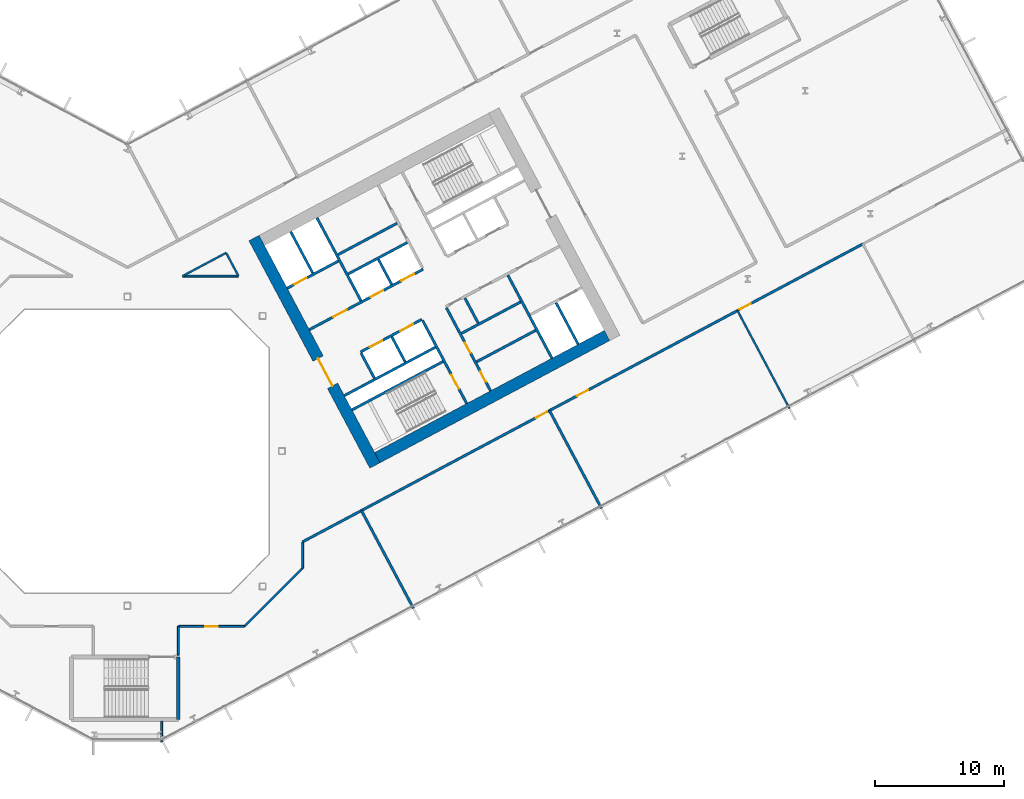
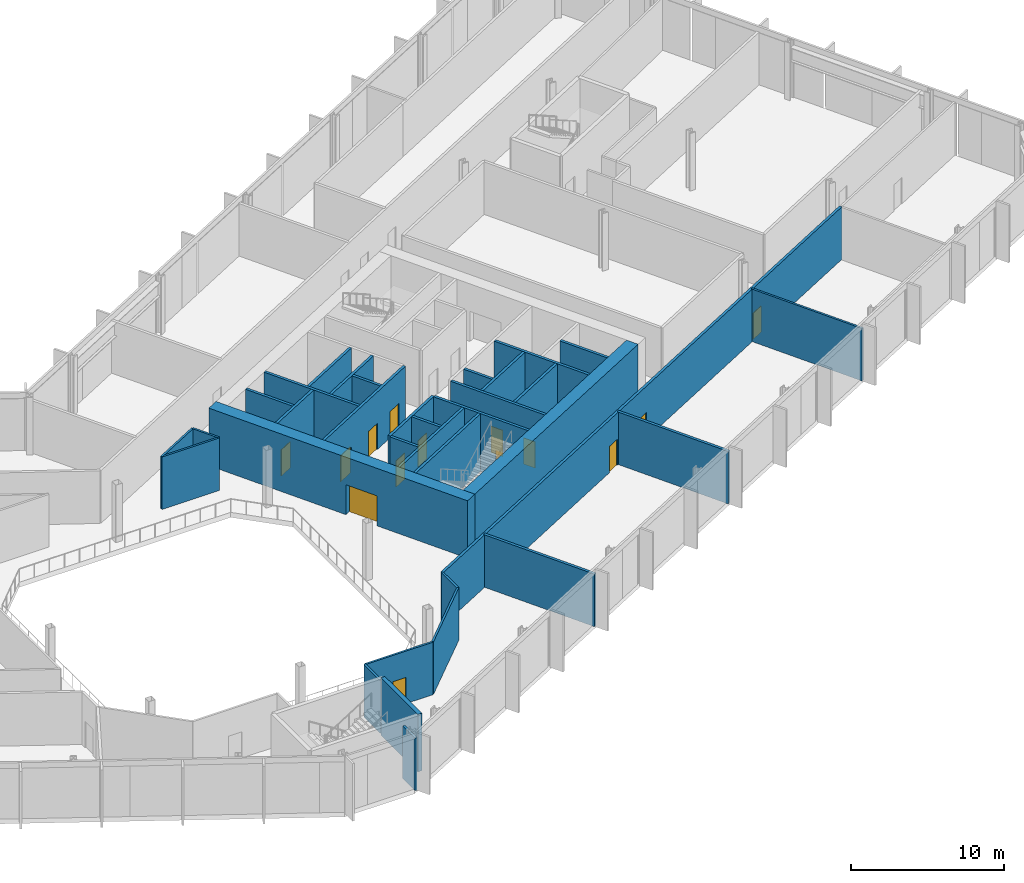
# One storey, part 17 of 31: 34 walls, 14 doors, 14 openings.
"""IFC4 building model written with IfcOpenShell, lengths in metres."""

from ifc_helpers import new_model, si_unit, direction, frame, frame_2d, origin, place, context, subcontext, project, spatial, rectangle, extrude, material, layer, layer_set, type_object, element, fill, save


model = new_model("IFC4")

# Units and contexts
model_context = context("Model", 3, precision=1e-05, world=origin(), true_north=direction((0.0, 1.0)))
body_context = subcontext(model_context, "Body", "Model", "MODEL_VIEW")
ifc_project = project(units=[si_unit("LENGTHUNIT", "METRE"), si_unit("AREAUNIT", "SQUARE_METRE"), si_unit("VOLUMEUNIT", "CUBIC_METRE"), si_unit("PLANEANGLEUNIT", "RADIAN"), si_unit("MASSUNIT", "GRAM", prefix="KILO")], contexts=[model_context])

# Site, building, storey
site_placement = place(None, origin())
site = spatial("IfcSite", under=ifc_project, at=site_placement, CompositionType="ELEMENT")
building_placement = place(site_placement, origin())
building = spatial("IfcBuilding", under=site, at=building_placement, Name="Cormorant Relay Tower", CompositionType="ELEMENT")
storey_placement = place(building_placement, frame((0.0, 0.0, 98.39990234375)))
storey = spatial("IfcBuildingStorey", under=building, at=storey_placement, Name="L19", CompositionType="ELEMENT", Elevation=98.39990234375)

# Walls
ifc_material_1 = material(Name="Concrete 40 MPa", Category="concrete")
ifc_layer_1 = layer(ifc_material_1, 0.199951171875)
ifc_layer_set_1 = layer_set([ifc_layer_1], Name="Core internal wall 200")
wall_type_1 = type_object("IfcWallType", Name="Core internal wall 200", PredefinedType="SOLIDWALL", material=ifc_layer_set_1)
for number, where, z_axis, x_axis, name in (
    (1, (21.567626953125, 6.9375, 0.0), (0.0, 0.0, 1.0), (-0.469533832133, 0.882914480843, 0.0), "L19 core B shaft and room wall"),
    (2, (20.522216796875, 12.950439453125, 0.0), (0.0, 0.0, 1.0), (-0.469401318492, 0.882984938828, 0.0), "L19 core B shaft and room wall"),
    (3, (27.236083984375, 9.951416015625, 0.0), (0.0, 0.0, 1.0), (-0.4694473164, 0.882960484464, 0.0), "L19 core B shaft and room wall"),
):
    element("IfcWall", number, at=place(storey_placement, frame(where, z_axis=z_axis, x_axis=x_axis)), inside=storey, type_object=wall_type_1, Name=name, PredefinedType="SOLIDWALL", context=body_context, shape_type="SweptSolid", body=[
        extrude(rectangle(XDim=2.199951171875, YDim=0.199951171875, at=frame_2d((1.10009765625, 0.0))), origin(), (0.0, 0.0, 1.0), 4.60009765625),
    ])
for number, where, z_axis, x_axis, name in (
    (4, (27.11474609375, 6.942138671875, 0.0), (0.0, 0.0, 1.0), (0.882934506056, 0.469496174655, 0.0), "L19 core B shaft and room wall"),
    (5, (16.3486328125, 15.26171875, 0.0), (0.0, 0.0, 1.0), (0.882953967957, 0.469459572775, 0.0), "L19 core B shaft and room wall"),
):
    element("IfcWall", number, at=place(storey_placement, frame(where, z_axis=z_axis, x_axis=x_axis)), inside=storey, type_object=wall_type_1, Name=name, PredefinedType="SOLIDWALL", context=body_context, shape_type="SweptSolid", body=[
        extrude(rectangle(XDim=5.199951171875, YDim=0.199951171875, at=frame_2d((2.60009765625, 0.0))), origin(), (0.0, 0.0, 1.0), 4.60009765625),
    ])
ifc_material_2 = material(Name="Concrete 50 MPa", Category="concrete")
ifc_layer_2 = layer(ifc_material_2, 0.199951171875)
ifc_layer_set_2 = layer_set([ifc_layer_2], Name="Core shaft wall 200")
wall_type_2 = type_object("IfcWallType", Name="Core shaft wall 200", PredefinedType="SHEAR", material=ifc_layer_set_2)
wall_1_placement = place(storey_placement, frame((14.39404296875, 13.825927734375, 0.0), z_axis=(0.0, 0.0, 1.0), x_axis=(-0.469494272526, 0.882935517501, 0.0)))
element("IfcWall", 6, at=wall_1_placement, inside=storey, type_object=wall_type_2, Name="L19 core B shaft wall", PredefinedType="SHEAR", context=body_context, shape_type="SweptSolid", body=[
    extrude(rectangle(XDim=3.64990234375, YDim=0.199951171875, at=frame_2d((1.824951171875, 0.0))), origin(), (0.0, 0.0, 1.0), 4.60009765625),
])
wall_2_placement = place(storey_placement, frame((19.18359375, 5.669921875, 0.0), z_axis=(0.0, 0.0, 1.0), x_axis=(-0.4694473164, 0.882960484464, 0.0)))
element("IfcWall", 7, at=wall_2_placement, inside=storey, type_object=wall_type_2, Name="L19 core B shaft wall", PredefinedType="SHEAR", context=body_context, shape_type="SweptSolid", body=[
    extrude(rectangle(XDim=2.199951171875, YDim=0.199951171875, at=frame_2d((1.10009765625, 0.0))), origin(), (0.0, 0.0, 1.0), 4.60009765625),
])
wall_3_placement = place(storey_placement, frame((18.138427734375, 11.682861328125, 0.0), z_axis=(0.0, 0.0, 1.0), x_axis=(-0.469480409012, 0.88294288918, 0.0)))
element("IfcWall", 8, at=wall_3_placement, inside=storey, type_object=wall_type_2, Name="L19 core B shaft wall", PredefinedType="SHEAR", context=body_context, shape_type="SweptSolid", body=[
    extrude(rectangle(XDim=7.300048828125, YDim=0.199951171875, at=frame_2d((3.64990234375, 0.0))), origin(), (0.0, 0.0, 1.0), 4.60009765625),
])

# Wall, opening, door
wall_4_placement = place(storey_placement, frame((26.345947265625, 3.701904296875, 0.0), z_axis=(0.0, 0.0, 1.0), x_axis=(-0.469480409012, 0.88294288918, 0.0)))
wall_4 = element("IfcWall", 9, at=wall_4_placement, inside=storey, type_object=wall_type_2, Name="L19 core B shaft wall", PredefinedType="SHEAR", context=body_context, shape_type="SweptSolid", body=[
    extrude(rectangle(XDim=7.300048828125, YDim=0.199951171875, at=frame_2d((3.64990234375, 0.0))), origin(), (0.0, 0.0, 1.0), 4.60009765625),
])
opening_1_placement = place(wall_4_placement, frame((1.300048828125, 0.0, 0.0)))
opening_1 = element("IfcOpeningElement", 10, at=opening_1_placement, cuts=wall_4, Name="Opening CDB-026", PredefinedType="OPENING", context=body_context, shape_type="SweptSolid", body=[
    extrude(rectangle(XDim=1.199951171875, YDim=2.10009765625, at=frame_2d((0.60009765625, 1.050048828125))), frame((0.0, 0.10986328125, 0.0), z_axis=(0.0, -1.0, 0.0), x_axis=(1.0, 0.0, 0.0)), (0.0, 0.0, 1.0), 0.219970703125),
])
ifc_material_3 = material(Name="Steel fire door", Category="steel")
door_type_1 = type_object("IfcDoorType", Name="Core stair door 1200x2100", OperationType="SINGLE_SWING_LEFT", PredefinedType="DOOR", material=ifc_material_3)
door_1_placement = place(opening_1_placement, origin())
door_1 = element("IfcDoor", 11, at=door_1_placement, inside=storey, type_object=door_type_1, Name="Core stair door 1200x2100", OperationType="SINGLE_SWING_RIGHT", OverallHeight=2.10009765625, OverallWidth=1.199951171875, PredefinedType="DOOR", context=body_context, shape_type="SweptSolid", body=[
    extrude(rectangle(XDim=1.199951171875, YDim=2.10009765625, at=frame_2d((0.60009765625, 1.050048828125))), frame((0.0, 0.02490234375, 0.0), z_axis=(0.0, -1.0, 0.0), x_axis=(1.0, 0.0, 0.0)), (0.0, 0.0, 1.0), 0.050048828125),
])
fill(opening_1, door_1)

# Wall, openings, doors
wall_5_placement = place(storey_placement, frame((28.199951171875, 4.687744140625, 0.0), z_axis=(0.0, 0.0, 1.0), x_axis=(-0.469454336211, 0.882956752176, 0.0)))
wall_5 = element("IfcWall", 12, at=wall_5_placement, inside=storey, type_object=wall_type_2, Name="L19 core B shaft wall", PredefinedType="SHEAR", context=body_context, shape_type="SweptSolid", body=[
    extrude(rectangle(XDim=7.300048828125, YDim=0.199951171875, at=frame_2d((3.64990234375, 0.0))), origin(), (0.0, 0.0, 1.0), 4.60009765625),
])
opening_2_placement = place(wall_5_placement, frame((0.800048828125, 0.0, 0.0)))
opening_2 = element("IfcOpeningElement", 13, at=opening_2_placement, cuts=wall_5, Name="Opening CDD-124", PredefinedType="OPENING", context=body_context, shape_type="SweptSolid", body=[
    extrude(rectangle(XDim=0.89990234375, YDim=2.10009765625, at=frame_2d((0.449951171875, 1.050048828125))), frame((0.0, 0.10986328125, 0.0), z_axis=(0.0, -1.0, 0.0), x_axis=(1.0, 0.0, 0.0)), (0.0, 0.0, 1.0), 0.219970703125),
])
opening_3_placement = place(wall_5_placement, frame((3.300048828125, 0.0, 0.0)))
opening_3 = element("IfcOpeningElement", 14, at=opening_3_placement, cuts=wall_5, Name="Opening CDD-125", PredefinedType="OPENING", context=body_context, shape_type="SweptSolid", body=[
    extrude(rectangle(XDim=0.89990234375, YDim=2.10009765625, at=frame_2d((0.449951171875, 1.050048828125))), frame((0.0, 0.10986328125, 0.0), z_axis=(0.0, -1.0, 0.0), x_axis=(1.0, 0.0, 0.0)), (0.0, 0.0, 1.0), 0.219970703125),
])
ifc_material_4 = material(Name="Steel fire door", Category="steel")
door_type_2 = type_object("IfcDoorType", Name="Core room door 900x2100", OperationType="SINGLE_SWING_LEFT", PredefinedType="DOOR", material=ifc_material_4)
door_2_placement = place(opening_2_placement, frame((0.89990234375, 0.0, 0.0), z_axis=(0.0, 0.0, 1.0), x_axis=(-1.0, 0.0, 0.0)))
door_2 = element("IfcDoor", 15, at=door_2_placement, inside=storey, type_object=door_type_2, Name="Core room door 900x2100", OperationType="SINGLE_SWING_LEFT", OverallHeight=2.10009765625, OverallWidth=0.89990234375, PredefinedType="DOOR", context=body_context, shape_type="SweptSolid", body=[
    extrude(rectangle(XDim=0.89990234375, YDim=2.10009765625, at=frame_2d((0.449951171875, 1.050048828125))), frame((0.0, 0.02490234375, 0.0), z_axis=(0.0, -1.0, 0.0), x_axis=(1.0, 0.0, 0.0)), (0.0, 0.0, 1.0), 0.050048828125),
])
fill(opening_2, door_2)
door_3_placement = place(opening_3_placement, frame((0.89990234375, 0.0, 0.0), z_axis=(0.0, 0.0, 1.0), x_axis=(-1.0, 0.0, 0.0)))
door_3 = element("IfcDoor", 16, at=door_3_placement, inside=storey, type_object=door_type_2, Name="Core room door 900x2100", OperationType="SINGLE_SWING_LEFT", OverallHeight=2.10009765625, OverallWidth=0.89990234375, PredefinedType="DOOR", context=body_context, shape_type="SweptSolid", body=[
    extrude(rectangle(XDim=0.89990234375, YDim=2.10009765625, at=frame_2d((0.449951171875, 1.050048828125))), frame((0.0, 0.02490234375, 0.0), z_axis=(0.0, -1.0, 0.0), x_axis=(1.0, 0.0, 0.0)), (0.0, 0.0, 1.0), 0.050048828125),
])
fill(opening_3, door_3)

# Walls
wall_6_placement = place(storey_placement, frame((32.968017578125, 7.222900390625, 0.0), z_axis=(0.0, 0.0, 1.0), x_axis=(-0.469480409012, 0.88294288918, 0.0)))
element("IfcWall", 17, at=wall_6_placement, inside=storey, type_object=wall_type_2, Name="L19 core B shaft wall", PredefinedType="SHEAR", context=body_context, shape_type="SweptSolid", body=[
    extrude(rectangle(XDim=7.300048828125, YDim=0.199951171875, at=frame_2d((3.64990234375, 0.0))), origin(), (0.0, 0.0, 1.0), 4.60009765625),
])
wall_7_placement = place(storey_placement, frame((34.998779296875, 8.302734375, 0.0), z_axis=(0.0, 0.0, 1.0), x_axis=(-0.4694665462, 0.882950260207, 0.0)))
element("IfcWall", 18, at=wall_7_placement, inside=storey, type_object=wall_type_2, Name="L19 core B shaft wall", PredefinedType="SHEAR", context=body_context, shape_type="SweptSolid", body=[
    extrude(rectangle(XDim=3.650146484375, YDim=0.199951171875, at=frame_2d((1.8251953125, 0.0))), origin(), (0.0, 0.0, 1.0), 4.60009765625),
])
for number, where, z_axis, x_axis, name in (
    (19, (17.43359375, 3.210205078125, 0.0), (0.0, 0.0, 1.0), (0.882940221191, 0.469485426614, 0.0), "L19 core B shaft wall"),
    (20, (16.8466796875, 4.31396484375, 0.0), (0.0, 0.0, 1.0), (0.882940221191, 0.469485426614, 0.0), "L19 core B shaft wall"),
):
    element("IfcWall", number, at=place(storey_placement, frame(where, z_axis=z_axis, x_axis=x_axis)), inside=storey, type_object=wall_type_2, Name=name, PredefinedType="SHEAR", context=body_context, shape_type="SweptSolid", body=[
        extrude(rectangle(XDim=8.0, YDim=0.199951171875, at=frame_2d((4.0, 0.0))), origin(), (0.0, 0.0, 1.0), 4.60009765625),
    ])
wall_8_placement = place(storey_placement, frame((25.94091796875, 9.149658203125, 0.0), z_axis=(0.0, 0.0, 1.0), x_axis=(0.882953967957, 0.469459572775, 0.0)))
element("IfcWall", 21, at=wall_8_placement, inside=storey, type_object=wall_type_2, Name="L19 core B shaft wall", PredefinedType="SHEAR", context=body_context, shape_type="SweptSolid", body=[
    extrude(rectangle(XDim=5.199951171875, YDim=0.199951171875, at=frame_2d((2.60009765625, 0.0))), origin(), (0.0, 0.0, 1.0), 4.60009765625),
])

# Wall, openings, doors
wall_9_placement = place(storey_placement, frame((18.103759765625, 7.70068359375, 0.0), z_axis=(0.0, 0.0, 1.0), x_axis=(0.882952937579, 0.469461510692, 0.0)))
wall_9 = element("IfcWall", 22, at=wall_9_placement, inside=storey, type_object=wall_type_2, Name="L19 core B shaft wall", PredefinedType="SHEAR", context=body_context, shape_type="SweptSolid", body=[
    extrude(rectangle(XDim=5.400146484375, YDim=0.199951171875, at=frame_2d((2.7001953125, 0.0))), origin(), (0.0, 0.0, 1.0), 4.60009765625),
])
opening_4_placement = place(wall_9_placement, frame((0.800048828125, 0.0, 0.0)))
opening_4 = element("IfcOpeningElement", 23, at=opening_4_placement, cuts=wall_9, Name="Opening LD1-032", PredefinedType="OPENING", context=body_context, shape_type="SweptSolid", body=[
    extrude(rectangle(XDim=1.10009765625, YDim=2.10009765625, at=frame_2d((0.550048828125, 1.050048828125))), frame((0.0, 0.10986328125, 0.0), z_axis=(0.0, -1.0, 0.0), x_axis=(1.0, 0.0, 0.0)), (0.0, 0.0, 1.0), 0.219970703125),
])
opening_5_placement = place(wall_9_placement, frame((3.5, 0.0, 0.0)))
opening_5 = element("IfcOpeningElement", 24, at=opening_5_placement, cuts=wall_9, Name="Opening LD1-033", PredefinedType="OPENING", context=body_context, shape_type="SweptSolid", body=[
    extrude(rectangle(XDim=1.10009765625, YDim=2.10009765625, at=frame_2d((0.550048828125, 1.050048828125))), frame((0.0, 0.10986328125, 0.0), z_axis=(0.0, -1.0, 0.0), x_axis=(1.0, 0.0, 0.0)), (0.0, 0.0, 1.0), 0.219970703125),
])
ifc_material_5 = material(Name="Stainless steel 316", Category="steel")
door_type_3 = type_object("IfcDoorType", Name="Lift landing door 1100x2100", OperationType="DOUBLE_DOOR_SLIDING", PredefinedType="DOOR", material=ifc_material_5)
door_4_placement = place(opening_4_placement, origin())
door_4 = element("IfcDoor", 25, at=door_4_placement, inside=storey, type_object=door_type_3, Name="LR5 landing door", OperationType="DOUBLE_DOOR_SLIDING", OverallHeight=2.10009765625, OverallWidth=1.10009765625, PredefinedType="DOOR", context=body_context, shape_type="SweptSolid", body=[
    extrude(rectangle(XDim=1.10009765625, YDim=2.10009765625, at=frame_2d((0.550048828125, 1.050048828125))), frame((0.0, 0.02490234375, 0.0), z_axis=(0.0, -1.0, 0.0), x_axis=(1.0, 0.0, 0.0)), (0.0, 0.0, 1.0), 0.050048828125),
])
fill(opening_4, door_4)
door_5_placement = place(opening_5_placement, origin())
door_5 = element("IfcDoor", 26, at=door_5_placement, inside=storey, type_object=door_type_3, Name="LR6 landing door", OperationType="DOUBLE_DOOR_SLIDING", OverallHeight=2.10009765625, OverallWidth=1.10009765625, PredefinedType="DOOR", context=body_context, shape_type="SweptSolid", body=[
    extrude(rectangle(XDim=1.10009765625, YDim=2.10009765625, at=frame_2d((0.550048828125, 1.050048828125))), frame((0.0, 0.02490234375, 0.0), z_axis=(0.0, -1.0, 0.0), x_axis=(1.0, 0.0, 0.0)), (0.0, 0.0, 1.0), 0.050048828125),
])
fill(opening_5, door_5)

wall_10_placement = place(storey_placement, frame((14.123779296875, 9.43505859375, 0.0), z_axis=(0.0, 0.0, 1.0), x_axis=(0.882940221191, 0.469485426614, 0.0)))
wall_10 = element("IfcWall", 27, at=wall_10_placement, inside=storey, type_object=wall_type_2, Name="L19 core B shaft wall", PredefinedType="SHEAR", context=body_context, shape_type="SweptSolid", body=[
    extrude(rectangle(XDim=10.0, YDim=0.199951171875, at=frame_2d((5.0, 0.0))), origin(), (0.0, 0.0, 1.0), 4.60009765625),
])
opening_6_placement = place(wall_10_placement, frame((2.10009765625, 0.0, 0.0)))
opening_6 = element("IfcOpeningElement", 28, at=opening_6_placement, cuts=wall_10, Name="Opening CDC-019", PredefinedType="OPENING", context=body_context, shape_type="SweptSolid", body=[
    extrude(rectangle(XDim=1.199951171875, YDim=2.10009765625, at=frame_2d((0.60009765625, 1.050048828125))), frame((0.0, 0.10986328125, 0.0), z_axis=(0.0, -1.0, 0.0), x_axis=(1.0, 0.0, 0.0)), (0.0, 0.0, 1.0), 0.219970703125),
])
opening_7_placement = place(wall_10_placement, frame((5.39990234375, 0.0, 0.0)))
opening_7 = element("IfcOpeningElement", 29, at=opening_7_placement, cuts=wall_10, Name="Opening LD1-028", PredefinedType="OPENING", context=body_context, shape_type="SweptSolid", body=[
    extrude(rectangle(XDim=1.10009765625, YDim=2.10009765625, at=frame_2d((0.550048828125, 1.050048828125))), frame((0.0, 0.10986328125, 0.0), z_axis=(0.0, -1.0, 0.0), x_axis=(1.0, 0.0, 0.0)), (0.0, 0.0, 1.0), 0.219970703125),
])
opening_8_placement = place(wall_10_placement, frame((8.10009765625, 0.0, 0.0)))
opening_8 = element("IfcOpeningElement", 30, at=opening_8_placement, cuts=wall_10, Name="Opening LD1-029", PredefinedType="OPENING", context=body_context, shape_type="SweptSolid", body=[
    extrude(rectangle(XDim=1.10009765625, YDim=2.10009765625, at=frame_2d((0.550048828125, 1.050048828125))), frame((0.0, 0.10986328125, 0.0), z_axis=(0.0, -1.0, 0.0), x_axis=(1.0, 0.0, 0.0)), (0.0, 0.0, 1.0), 0.219970703125),
])
ifc_material_6 = material(Name="Steel fire door", Category="steel")
door_type_4 = type_object("IfcDoorType", Name="Core lobby door 1200x2100", OperationType="SINGLE_SWING_LEFT", PredefinedType="DOOR", material=ifc_material_6)
door_6_placement = place(opening_6_placement, origin())
door_6 = element("IfcDoor", 31, at=door_6_placement, inside=storey, type_object=door_type_4, Name="Core lobby door 1200x2100", OperationType="SINGLE_SWING_RIGHT", OverallHeight=2.10009765625, OverallWidth=1.199951171875, PredefinedType="DOOR", context=body_context, shape_type="SweptSolid", body=[
    extrude(rectangle(XDim=1.199951171875, YDim=2.10009765625, at=frame_2d((0.60009765625, 1.050048828125))), frame((0.0, 0.02490234375, 0.0), z_axis=(0.0, -1.0, 0.0), x_axis=(1.0, 0.0, 0.0)), (0.0, 0.0, 1.0), 0.050048828125),
])
fill(opening_6, door_6)
door_7_placement = place(opening_7_placement, origin())
door_7 = element("IfcDoor", 32, at=door_7_placement, inside=storey, type_object=door_type_3, Name="LR1 landing door", OperationType="DOUBLE_DOOR_SLIDING", OverallHeight=2.10009765625, OverallWidth=1.10009765625, PredefinedType="DOOR", context=body_context, shape_type="SweptSolid", body=[
    extrude(rectangle(XDim=1.10009765625, YDim=2.10009765625, at=frame_2d((0.550048828125, 1.050048828125))), frame((0.0, 0.02490234375, 0.0), z_axis=(0.0, -1.0, 0.0), x_axis=(1.0, 0.0, 0.0)), (0.0, 0.0, 1.0), 0.050048828125),
])
fill(opening_7, door_7)
door_8_placement = place(opening_8_placement, origin())
door_8 = element("IfcDoor", 33, at=door_8_placement, inside=storey, type_object=door_type_3, Name="LR2 landing door", OperationType="DOUBLE_DOOR_SLIDING", OverallHeight=2.10009765625, OverallWidth=1.10009765625, PredefinedType="DOOR", context=body_context, shape_type="SweptSolid", body=[
    extrude(rectangle(XDim=1.10009765625, YDim=2.10009765625, at=frame_2d((0.550048828125, 1.050048828125))), frame((0.0, 0.02490234375, 0.0), z_axis=(0.0, -1.0, 0.0), x_axis=(1.0, 0.0, 0.0)), (0.0, 0.0, 1.0), 0.050048828125),
])
fill(opening_8, door_8)

# Wall
wall_11_placement = place(storey_placement, frame((17.146728515625, 13.7607421875, 0.0), z_axis=(0.0, 0.0, 1.0), x_axis=(0.882964314875, 0.469440111896, 0.0)))
element("IfcWall", 34, at=wall_11_placement, inside=storey, type_object=wall_type_2, Name="L19 core B shaft wall", PredefinedType="SHEAR", context=body_context, shape_type="SweptSolid", body=[
    extrude(rectangle(XDim=5.2001953125, YDim=0.199951171875, at=frame_2d((2.60009765625, 0.0))), origin(), (0.0, 0.0, 1.0), 4.60009765625),
])

# Wall, opening, door
wall_12_placement = place(storey_placement, frame((12.41015625, 12.657958984375, 0.0), z_axis=(0.0, 0.0, 1.0), x_axis=(0.8829484765, 0.469469900894, 0.0)))
wall_12 = element("IfcWall", 35, at=wall_12_placement, inside=storey, type_object=wall_type_2, Name="L19 core B shaft wall", PredefinedType="SHEAR", context=body_context, shape_type="SweptSolid", body=[
    extrude(rectangle(XDim=4.499755859375, YDim=0.199951171875, at=frame_2d((2.25, 0.0))), origin(), (0.0, 0.0, 1.0), 4.60009765625),
])
opening_9_placement = place(wall_12_placement, frame((0.60009765625, 0.0, 0.0)))
opening_9 = element("IfcOpeningElement", 36, at=opening_9_placement, cuts=wall_12, Name="Opening LD1-034", PredefinedType="OPENING", context=body_context, shape_type="SweptSolid", body=[
    extrude(rectangle(XDim=1.10009765625, YDim=2.10009765625, at=frame_2d((0.550048828125, 1.050048828125))), frame((0.0, 0.10986328125, 0.0), z_axis=(0.0, -1.0, 0.0), x_axis=(1.0, 0.0, 0.0)), (0.0, 0.0, 1.0), 0.219970703125),
])
door_9_placement = place(opening_9_placement, origin())
door_9 = element("IfcDoor", 37, at=door_9_placement, inside=storey, type_object=door_type_3, Name="FF2 landing door", OperationType="DOUBLE_DOOR_SLIDING", OverallHeight=2.10009765625, OverallWidth=1.10009765625, PredefinedType="DOOR", context=body_context, shape_type="SweptSolid", body=[
    extrude(rectangle(XDim=1.10009765625, YDim=2.10009765625, at=frame_2d((0.550048828125, 1.050048828125))), frame((0.0, 0.02490234375, 0.0), z_axis=(0.0, -1.0, 0.0), x_axis=(1.0, 0.0, 0.0)), (0.0, 0.0, 1.0), 0.050048828125),
])
fill(opening_9, door_9)

ifc_material_7 = material(Name="Concrete 70 MPa", Category="concrete")
ifc_layer_3 = layer(ifc_material_7, 0.89990234375)
ifc_layer_set_3 = layer_set([ifc_layer_3], Name="Core wall 900")
wall_type_3 = type_object("IfcWallType", Name="Core wall 900", PredefinedType="SHEAR", material=ifc_layer_set_3)
wall_13_placement = place(storey_placement, frame((19.21923828125, -1.106689453125, 0.0), z_axis=(0.0, 0.0, 1.0), x_axis=(-0.46947084998, 0.882947971864, 0.0)))
wall_13 = element("IfcWall", 38, at=wall_13_placement, inside=storey, type_object=wall_type_3, Name="L19 core B wall", PredefinedType="SHEAR", context=body_context, shape_type="SweptSolid", body=[
    extrude(rectangle(XDim=20.0, YDim=0.89990234375, at=frame_2d((10.0, 0.0))), origin(), (0.0, 0.0, 1.0), 4.60009765625),
])
opening_10_placement = place(wall_13_placement, frame((7.0, 0.0, 0.0)))
opening_10 = element("IfcOpeningElement", 39, at=opening_10_placement, cuts=wall_13, Name="Opening CDA-019", PredefinedType="OPENING", context=body_context, shape_type="SweptSolid", body=[
    extrude(rectangle(XDim=2.39990234375, YDim=2.39990234375, at=frame_2d((1.199951171875, 1.199951171875))), frame((0.0, 0.4599609375, 0.0), z_axis=(0.0, -1.0, 0.0), x_axis=(1.0, 0.0, 0.0)), (0.0, 0.0, 1.0), 0.919921875),
])
ifc_material_8 = material(Name="Steel fire door", Category="steel")
door_type_5 = type_object("IfcDoorType", Name="Core lobby door 2400x2400", OperationType="DOUBLE_DOOR_SINGLE_SWING", PredefinedType="DOOR", material=ifc_material_8)
door_10_placement = place(opening_10_placement, frame((2.39990234375, 0.0, 0.0), z_axis=(0.0, 0.0, 1.0), x_axis=(-1.0, 0.0, 0.0)))
door_10 = element("IfcDoor", 40, at=door_10_placement, inside=storey, type_object=door_type_5, Name="Core lobby door 2400x2400", OperationType="DOUBLE_DOOR_SINGLE_SWING", OverallHeight=2.39990234375, OverallWidth=2.39990234375, PredefinedType="DOOR", context=body_context, shape_type="SweptSolid", body=[
    extrude(rectangle(XDim=2.39990234375, YDim=2.39990234375, at=frame_2d((1.199951171875, 1.199951171875))), frame((0.0, 0.02490234375, 0.0), z_axis=(0.0, -1.0, 0.0), x_axis=(1.0, 0.0, 0.0)), (0.0, 0.0, 1.0), 0.050048828125),
])
fill(opening_10, door_10)

# Walls
wall_14_placement = place(storey_placement, frame((19.4052734375, -0.498046875, 0.0), z_axis=(0.0, 0.0, 1.0), x_axis=(0.88294509198, 0.469476266226, 0.0)))
element("IfcWall", 41, at=wall_14_placement, inside=storey, type_object=wall_type_3, Name="L19 core B wall", PredefinedType="SHEAR", context=body_context, shape_type="SweptSolid", body=[
    extrude(rectangle(XDim=20.199951171875, YDim=0.89990234375, at=frame_2d((10.10009765625, 0.0))), origin(), (0.0, 0.0, 1.0), 4.60009765625),
])
ifc_material_9 = material(Name="Fire-rated gypsum board partition")
ifc_layer_4 = layer(ifc_material_9, 0.199951171875)
ifc_layer_set_4 = layer_set([ifc_layer_4], Name="Fire-rated gypsum partition 200")
wall_type_4 = type_object("IfcWallType", Name="Fire-rated gypsum partition 200", PredefinedType="PARTITIONING", material=ifc_layer_set_4)
wall_15_placement = place(storey_placement, frame((18.172119140625, -4.60791015625, 0.0), z_axis=(0.0, 0.0, 1.0), x_axis=(0.469386979633, -0.882992561323, 0.0)))
element("IfcWall", 42, at=wall_15_placement, inside=storey, type_object=wall_type_4, Name="wall/L19/part/33", PredefinedType="PARTITIONING", context=body_context, shape_type="SweptSolid", body=[
    extrude(rectangle(XDim=8.600341796875, YDim=0.199951171875, at=frame_2d((4.30029296875, 0.0))), origin(), (0.0, 0.0, 1.0), 4.2001953125),
])

# Wall, openings, doors
wall_16_placement = place(storey_placement, frame((57.10498046875, 16.093017578125, 0.0), z_axis=(0.0, 0.0, 1.0), x_axis=(-0.882946553343, -0.469473517827, 0.0)))
wall_16 = element("IfcWall", 43, at=wall_16_placement, inside=storey, type_object=wall_type_4, Name="wall/L19/part/34", PredefinedType="PARTITIONING", context=body_context, shape_type="SweptSolid", body=[
    extrude(rectangle(XDim=49.2724609375, YDim=0.199951171875, at=frame_2d((24.63623046875, 0.0))), origin(), (0.0, 0.0, 1.0), 4.2001953125),
])
opening_11_placement = place(wall_16_placement, frame((27.75, 0.0, 0.0)))
opening_11 = element("IfcOpeningElement", 44, at=opening_11_placement, cuts=wall_16, Name="Opening FD1-103", PredefinedType="OPENING", context=body_context, shape_type="SweptSolid", body=[
    extrude(rectangle(XDim=1.0, YDim=2.10009765625, at=frame_2d((0.5, 1.050048828125))), frame((0.0, 0.10986328125, 0.0), z_axis=(0.0, -1.0, 0.0), x_axis=(1.0, 0.0, 0.0)), (0.0, 0.0, 1.0), 0.219970703125),
])
opening_12_placement = place(wall_16_placement, frame((24.14990234375, 0.0, 0.0)))
opening_12 = element("IfcOpeningElement", 45, at=opening_12_placement, cuts=wall_16, Name="Opening FD1-104", PredefinedType="OPENING", context=body_context, shape_type="SweptSolid", body=[
    extrude(rectangle(XDim=1.0, YDim=2.10009765625, at=frame_2d((0.5, 1.050048828125))), frame((0.0, 0.10986328125, 0.0), z_axis=(0.0, -1.0, 0.0), x_axis=(1.0, 0.0, 0.0)), (0.0, 0.0, 1.0), 0.219970703125),
])
opening_13_placement = place(wall_16_placement, frame((9.85009765625, 0.0, 0.0)))
opening_13 = element("IfcOpeningElement", 46, at=opening_13_placement, cuts=wall_16, Name="Opening FD1-105", PredefinedType="OPENING", context=body_context, shape_type="SweptSolid", body=[
    extrude(rectangle(XDim=1.0, YDim=2.10009765625, at=frame_2d((0.5, 1.050048828125))), frame((0.0, 0.10986328125, 0.0), z_axis=(0.0, -1.0, 0.0), x_axis=(1.0, 0.0, 0.0)), (0.0, 0.0, 1.0), 0.219970703125),
])
ifc_material_10 = material(Name="Fire-rated steel door", Category="steel")
door_type_6 = type_object("IfcDoorType", Name="Fire door 1000 x 2100", OperationType="SINGLE_SWING_LEFT", PredefinedType="DOOR", material=ifc_material_10)
door_11_placement = place(opening_11_placement, origin())
door_11 = element("IfcDoor", 47, at=door_11_placement, inside=storey, type_object=door_type_6, Name="door/L19/13", OperationType="SINGLE_SWING_LEFT", OverallHeight=2.10009765625, OverallWidth=1.0, PredefinedType="DOOR", context=body_context, shape_type="SweptSolid", body=[
    extrude(rectangle(XDim=1.0, YDim=2.10009765625, at=frame_2d((0.5, 1.050048828125))), frame((0.0, 0.02490234375, 0.0), z_axis=(0.0, -1.0, 0.0), x_axis=(1.0, 0.0, 0.0)), (0.0, 0.0, 1.0), 0.050048828125),
])
fill(opening_11, door_11)
door_12_placement = place(opening_12_placement, origin())
door_12 = element("IfcDoor", 48, at=door_12_placement, inside=storey, type_object=door_type_6, Name="door/L19/14", OperationType="SINGLE_SWING_RIGHT", OverallHeight=2.10009765625, OverallWidth=1.0, PredefinedType="DOOR", context=body_context, shape_type="SweptSolid", body=[
    extrude(rectangle(XDim=1.0, YDim=2.10009765625, at=frame_2d((0.5, 1.050048828125))), frame((0.0, 0.02490234375, 0.0), z_axis=(0.0, -1.0, 0.0), x_axis=(1.0, 0.0, 0.0)), (0.0, 0.0, 1.0), 0.050048828125),
])
fill(opening_12, door_12)
door_13_placement = place(opening_13_placement, origin())
door_13 = element("IfcDoor", 49, at=door_13_placement, inside=storey, type_object=door_type_6, Name="door/L19/15", OperationType="SINGLE_SWING_RIGHT", OverallHeight=2.10009765625, OverallWidth=1.0, PredefinedType="DOOR", context=body_context, shape_type="SweptSolid", body=[
    extrude(rectangle(XDim=1.0, YDim=2.10009765625, at=frame_2d((0.5, 1.050048828125))), frame((0.0, 0.02490234375, 0.0), z_axis=(0.0, -1.0, 0.0), x_axis=(1.0, 0.0, 0.0)), (0.0, 0.0, 1.0), 0.050048828125),
])
fill(opening_13, door_13)

# Walls
wall_17_placement = place(storey_placement, frame((36.80908203125, -4.43896484375, 0.0), z_axis=(0.0, 0.0, 1.0), x_axis=(-0.469409112223, 0.882980795579, 0.0)))
element("IfcWall", 50, at=wall_17_placement, inside=storey, type_object=wall_type_4, Name="wall/L19/part/37", PredefinedType="PARTITIONING", context=body_context, shape_type="SweptSolid", body=[
    extrude(rectangle(XDim=8.600341796875, YDim=0.199951171875, at=frame_2d((4.30029296875, 0.0))), origin(), (0.0, 0.0, 1.0), 4.2001953125),
])
ifc_material_11 = material(Name="Gypsum board partition")
ifc_layer_5 = layer(ifc_material_11, 0.14990234375)
ifc_layer_set_5 = layer_set([ifc_layer_5], Name="Gypsum board partition 150")
wall_type_5 = type_object("IfcWallType", Name="Gypsum board partition 150", PredefinedType="PARTITIONING", material=ifc_layer_set_5)
wall_18_placement = place(storey_placement, frame((2.64892578125, -22.58203125, 0.0), z_axis=(0.0, 0.0, 1.0), x_axis=(0.0, 1.0, 0.0)))
element("IfcWall", 51, at=wall_18_placement, inside=storey, type_object=wall_type_5, Name="wall/L19/part/27", PredefinedType="PARTITIONING", context=body_context, shape_type="SweptSolid", body=[
    extrude(rectangle(XDim=1.6220703125, YDim=0.14990234375, at=frame_2d((0.81103515625, 0.0))), origin(), (0.0, 0.0, 1.0), 4.2001953125),
])
wall_19_placement = place(storey_placement, frame((3.949951171875, -13.60009765625, 0.0), z_axis=(0.0, 0.0, 1.0), x_axis=(0.0, -1.0, 0.0)))
element("IfcWall", 52, at=wall_19_placement, inside=storey, type_object=wall_type_5, Name="wall/L19/part/28", PredefinedType="PARTITIONING", context=body_context, shape_type="SweptSolid", body=[
    extrude(rectangle(XDim=2.239990234375, YDim=0.14990234375, at=frame_2d((1.1201171875, 0.0))), origin(), (0.0, 0.0, 1.0), 4.2001953125),
])
wall_20_placement = place(storey_placement, frame((13.60009765625, -7.052978515625, 0.0), z_axis=(0.0, 0.0, 1.0), x_axis=(0.0, -1.0, 0.0)))
element("IfcWall", 53, at=wall_20_placement, inside=storey, type_object=wall_type_5, Name="wall/L19/part/29", PredefinedType="PARTITIONING", context=body_context, shape_type="SweptSolid", body=[
    extrude(rectangle(XDim=2.02392578125, YDim=0.14990234375, at=frame_2d((1.011962890625, 0.0))), origin(), (0.0, 0.0, 1.0), 4.2001953125),
])
wall_21_placement = place(storey_placement, frame((13.60009765625, -9.076904296875, 0.0), z_axis=(0.0, 0.0, 1.0), x_axis=(-0.707106781187, -0.707106781187, 0.0)))
element("IfcWall", 54, at=wall_21_placement, inside=storey, type_object=wall_type_5, Name="wall/L19/part/30", PredefinedType="PARTITIONING", context=body_context, shape_type="SweptSolid", body=[
    extrude(rectangle(XDim=6.396728515625, YDim=0.14990234375, at=frame_2d((3.1982421875, 0.0))), origin(), (0.0, 0.0, 1.0), 4.2001953125),
])

# Wall, opening, door
wall_22_placement = place(storey_placement, frame((9.076904296875, -13.60009765625, 0.0), z_axis=(0.0, 0.0, 1.0), x_axis=(-1.0, 0.0, 0.0)))
wall_22 = element("IfcWall", 55, at=wall_22_placement, inside=storey, type_object=wall_type_5, Name="wall/L19/part/31", PredefinedType="PARTITIONING", context=body_context, shape_type="SweptSolid", body=[
    extrude(rectangle(XDim=5.091796875, YDim=0.14990234375, at=frame_2d((2.5458984375, 0.0))), origin(), (0.0, 0.0, 1.0), 4.2001953125),
])
opening_14_placement = place(wall_22_placement, frame((2.050048828125, 0.0, 0.0)))
opening_14 = element("IfcOpeningElement", 56, at=opening_14_placement, cuts=wall_22, Name="Opening D1-043", PredefinedType="OPENING", context=body_context, shape_type="SweptSolid", body=[
    extrude(rectangle(XDim=1.0, YDim=2.10009765625, at=frame_2d((0.5, 1.050048828125))), frame((0.0, 0.0849609375, 0.0), z_axis=(0.0, -1.0, 0.0), x_axis=(1.0, 0.0, 0.0)), (0.0, 0.0, 1.0), 0.169921875),
])
ifc_material_12 = material(Name="Painted steel door", Category="steel")
door_type_7 = type_object("IfcDoorType", Name="Single door 1000 x 2100", OperationType="SINGLE_SWING_LEFT", PredefinedType="DOOR", material=ifc_material_12)
door_14_placement = place(opening_14_placement, origin())
door_14 = element("IfcDoor", 57, at=door_14_placement, inside=storey, type_object=door_type_7, Name="door/L19/12", OperationType="SINGLE_SWING_RIGHT", OverallHeight=2.10009765625, OverallWidth=1.0, PredefinedType="DOOR", context=body_context, shape_type="SweptSolid", body=[
    extrude(rectangle(XDim=1.0, YDim=2.10009765625, at=frame_2d((0.5, 1.050048828125))), frame((0.0, 0.02490234375, 0.0), z_axis=(0.0, -1.0, 0.0), x_axis=(1.0, 0.0, 0.0)), (0.0, 0.0, 1.0), 0.050048828125),
])
fill(opening_14, door_14)

# Walls
wall_23_placement = place(storey_placement, frame((47.3720703125, 10.91796875, 0.0), z_axis=(0.0, 0.0, 1.0), x_axis=(0.469298440423, -0.883039621884, 0.0)))
element("IfcWall", 58, at=wall_23_placement, inside=storey, type_object=wall_type_5, Name="wall/L19/part/38", PredefinedType="PARTITIONING", context=body_context, shape_type="SweptSolid", body=[
    extrude(rectangle(XDim=8.599853515625, YDim=0.14990234375, at=frame_2d((4.2998046875, 0.0))), origin(), (0.0, 0.0, 1.0), 4.2001953125),
])
wall_24_placement = place(storey_placement, frame((4.277099609375, 13.60009765625, 0.0), z_axis=(0.0, 0.0, 1.0), x_axis=(1.0, 0.0, 0.0)))
element("IfcWall", 59, at=wall_24_placement, inside=storey, type_object=wall_type_5, Name="wall/L19/part/62", PredefinedType="PARTITIONING", context=body_context, shape_type="SweptSolid", body=[
    extrude(rectangle(XDim=4.347900390625, YDim=0.14990234375, at=frame_2d((2.173828125, 0.0))), origin(), (0.0, 0.0, 1.0), 4.2001953125),
])
wall_25_placement = place(storey_placement, frame((8.625, 13.60009765625, 0.0), z_axis=(0.0, 0.0, 1.0), x_axis=(-0.469420518513, 0.882974731688, 0.0)))
element("IfcWall", 60, at=wall_25_placement, inside=storey, type_object=wall_type_5, Name="wall/L19/part/63", PredefinedType="PARTITIONING", context=body_context, shape_type="SweptSolid", body=[
    extrude(rectangle(XDim=2.040771484375, YDim=0.14990234375, at=frame_2d((1.0205078125, 0.0))), origin(), (0.0, 0.0, 1.0), 4.2001953125),
])
wall_26_placement = place(storey_placement, frame((7.6669921875, 15.402099609375, 0.0), z_axis=(0.0, 0.0, 1.0), x_axis=(-0.882994654303, -0.469383042378, 0.0)))
element("IfcWall", 61, at=wall_26_placement, inside=storey, type_object=wall_type_5, Name="wall/L19/part/64", PredefinedType="PARTITIONING", context=body_context, shape_type="SweptSolid", body=[
    extrude(rectangle(XDim=3.839111328125, YDim=0.14990234375, at=frame_2d((1.91943359375, 0.0))), origin(), (0.0, 0.0, 1.0), 4.2001953125),
])
ifc_material_13 = material(Name="Concrete 50 MPa", Category="concrete")
ifc_layer_6 = layer(ifc_material_13, 0.300048828125)
ifc_layer_set_6 = layer_set([ifc_layer_6], Name="Remote stair wall 300")
wall_type_6 = type_object("IfcWallType", Name="Remote stair wall 300", PredefinedType="SHEAR", material=ifc_layer_set_6)
wall_27_placement = place(storey_placement, frame((3.949951171875, -15.97509765625, 0.0), z_axis=(0.0, 0.0, 1.0), x_axis=(0.0, -1.0, 0.0)))
element("IfcWall", 62, at=wall_27_placement, inside=storey, type_object=wall_type_6, Name="L19 exit stair RK1 wall", PredefinedType="SHEAR", context=body_context, shape_type="SweptSolid", body=[
    extrude(rectangle(XDim=4.849853515625, YDim=0.300048828125, at=frame_2d((2.4248046875, 0.0))), origin(), (0.0, 0.0, 1.0), 4.60009765625),
])

save(model, "model.ifc")
